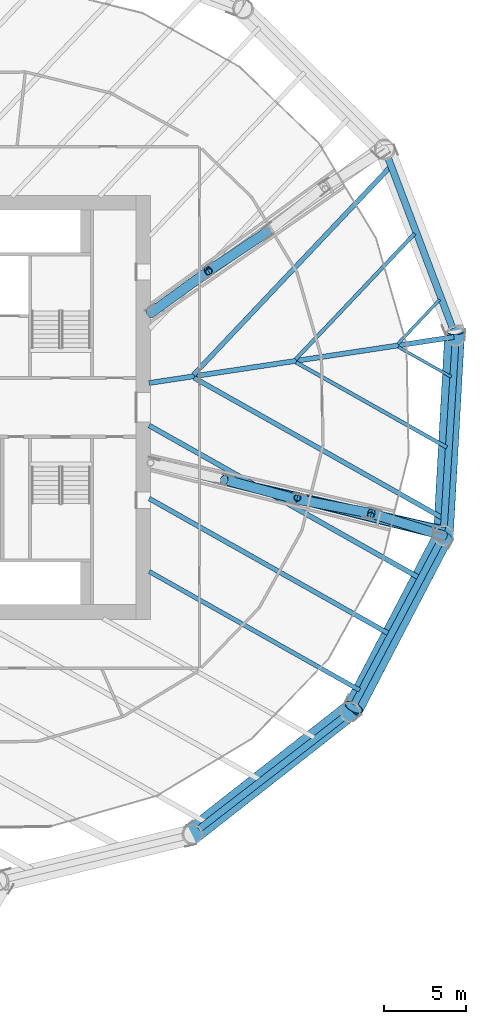
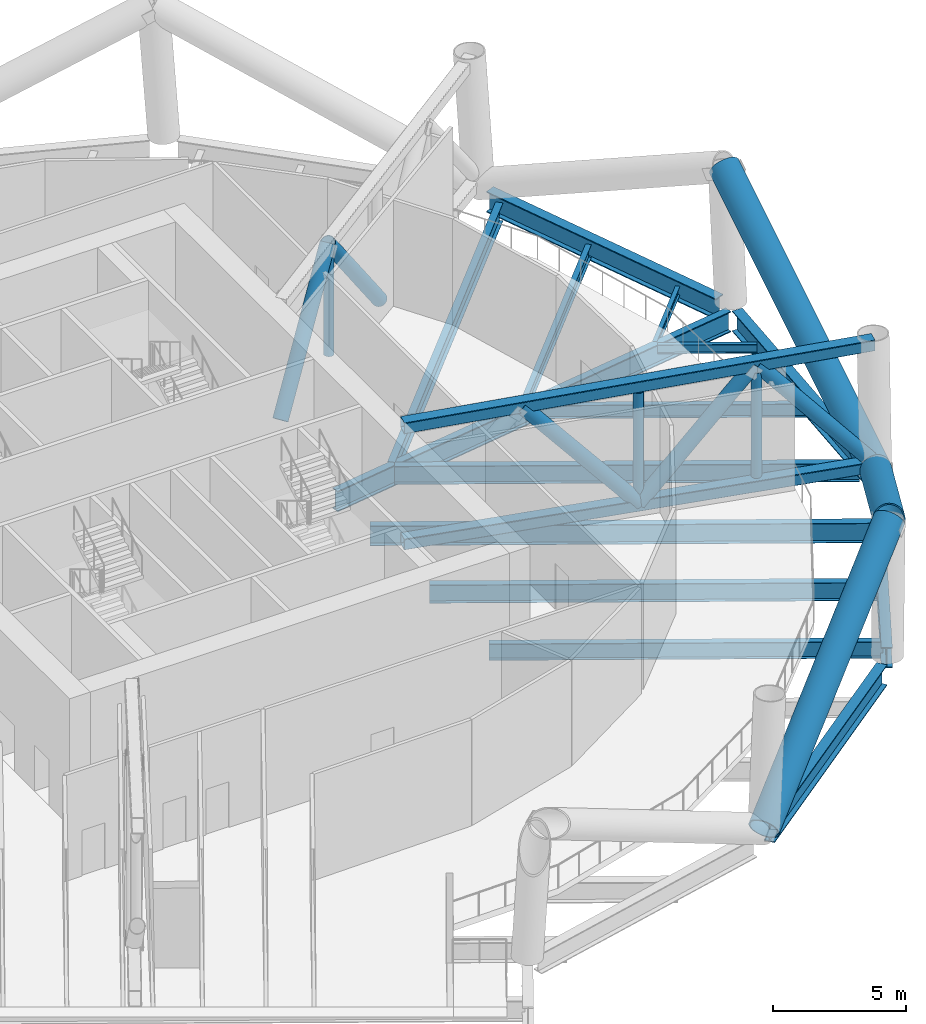
# One storey, part 6 of 39: 14 beams, 13 members.
"""IFC4 building model written with IfcOpenShell, lengths in metres."""

from ifc_helpers import new_model, si_unit, direction, frame, origin, origin_2d, place, context, subcontext, project, spatial, hollow_rectangle, hollow_circle, i_section, extrude, material, material_profile, profile_set, type_object, element, save


model = new_model("IFC4")

# Units and contexts
model_context = context("Model", 3, precision=1e-05, world=origin(), true_north=direction((0.0, 1.0)))
body_context = subcontext(model_context, "Body", "Model", "MODEL_VIEW")
ifc_project = project(units=[si_unit("LENGTHUNIT", "METRE"), si_unit("AREAUNIT", "SQUARE_METRE"), si_unit("VOLUMEUNIT", "CUBIC_METRE"), si_unit("PLANEANGLEUNIT", "RADIAN"), si_unit("MASSUNIT", "GRAM", prefix="KILO")], contexts=[model_context])

# Site, building, storey
site_placement = place(None, origin())
site = spatial("IfcSite", under=ifc_project, at=site_placement, CompositionType="ELEMENT")
building_placement = place(site_placement, origin())
building = spatial("IfcBuilding", under=site, at=building_placement, Name="Tarsis Ring Headquarters", CompositionType="ELEMENT")
storey_placement = place(building_placement, frame((0.0, 0.0, 86.800048828125)))
storey = spatial("IfcBuildingStorey", under=building, at=storey_placement, Name="L19", CompositionType="ELEMENT", Elevation=86.800048828125)

# Beams
ifc_material_1 = material(Name="Structural steel S355", Category="steel")
ifc_material_profile_1 = material_profile(ifc_material_1, i_section(OverallWidth=0.177734375, OverallDepth=0.406494140625, WebThickness=0.0078125, FlangeThickness=0.0126953125, at=origin_2d()), Name="W16x40")
ifc_profile_set_1 = profile_set([ifc_material_profile_1], Name="Structural steel S355")
beam_type_1 = type_object("IfcBeamType", Name="FB Floor beam W16x40", PredefinedType="JOIST", material=ifc_profile_set_1)
beam_1_placement = place(storey_placement, frame((25.187255859375, 3.705810546875, -0.503173828125), z_axis=(0.871040034729, -0.491212029473, 0.0), x_axis=(0.491212029473, 0.871040034729, 0.0)))
element("IfcBeam", 1, at=beam_1_placement, inside=storey, type_object=beam_type_1, Name="Floor beam FB1", PredefinedType="JOIST", context=body_context, shape_type="SweptSolid", body=[
    extrude(i_section(OverallWidth=0.177734375, OverallDepth=0.406494140625, WebThickness=0.0078125, FlangeThickness=0.0126953125, at=origin_2d()), origin(), (0.0, 0.0, 1.0), 3.741455078125),
])
beam_2_placement = place(storey_placement, frame((27.731201171875, 6.608154296875, -0.503173828125), z_axis=(-0.687362699154, -0.726314339533, 0.0), x_axis=(0.726314339533, -0.687362699154, 0.0)))
element("IfcBeam", 2, at=beam_2_placement, inside=storey, type_object=beam_type_1, Name="Floor beam FB1", PredefinedType="JOIST", context=body_context, shape_type="SweptSolid", body=[
    extrude(i_section(OverallWidth=0.177734375, OverallDepth=0.406494140625, WebThickness=0.0078125, FlangeThickness=0.0126953125, at=origin_2d()), origin(), (0.0, 0.0, 1.0), 3.741943359375),
])
ifc_material_profile_2 = material_profile(ifc_material_1, i_section(OverallWidth=0.228271484375, OverallDepth=0.607177734375, WebThickness=0.01123046875, FlangeThickness=0.017333984375, at=origin_2d()), Name="W24x76")
ifc_profile_set_2 = profile_set([ifc_material_profile_2], Name="Structural steel S355")
beam_type_2 = type_object("IfcBeamType", Name="FB Floor beam W24x76", PredefinedType="JOIST", material=ifc_profile_set_2)
beam_3_placement = place(storey_placement, frame((18.92333984375, 2.7607421875, -0.603515625), z_axis=(0.871038489005, -0.491214770413, 0.0), x_axis=(0.491214770413, 0.871038489005, 0.0)))
element("IfcBeam", 3, at=beam_3_placement, inside=storey, type_object=beam_type_2, Name="Floor beam FB4", PredefinedType="JOIST", context=body_context, shape_type="SweptSolid", body=[
    extrude(i_section(OverallWidth=0.228271484375, OverallDepth=0.607177734375, WebThickness=0.01123046875, FlangeThickness=0.017333984375, at=origin_2d()), origin(), (0.0, 0.0, 1.0), 10.62109375),
])
beam_4_placement = place(storey_placement, frame((26.196044921875, 10.659912109375, -0.603515625), z_axis=(-0.687346066865, -0.726330079486, 0.0), x_axis=(0.726330079486, -0.687346066865, 0.0)))
element("IfcBeam", 4, at=beam_4_placement, inside=storey, type_object=beam_type_2, Name="Floor beam FB4", PredefinedType="JOIST", context=body_context, shape_type="SweptSolid", body=[
    extrude(i_section(OverallWidth=0.228271484375, OverallDepth=0.607177734375, WebThickness=0.01123046875, FlangeThickness=0.017333984375, at=origin_2d()), origin(), (0.0, 0.0, 1.0), 10.621337890625),
])
ifc_material_profile_3 = material_profile(ifc_material_1, i_section(OverallWidth=0.2666015625, OverallDepth=0.7568359375, WebThickness=0.013916015625, FlangeThickness=0.019287109375, at=origin_2d()), Name="W30x108")
ifc_profile_set_3 = profile_set([ifc_material_profile_3], Name="Structural steel S355")
beam_type_3 = type_object("IfcBeamType", Name="FB Floor beam W30x108", PredefinedType="JOIST", material=ifc_profile_set_3)
beam_5_placement = place(storey_placement, frame((9.912841796875, -10.067626953125, -0.678466796875), z_axis=(0.871046450397, -0.491200652739, 0.0), x_axis=(0.491200652739, 0.871046450397, 0.0)))
element("IfcBeam", 5, at=beam_5_placement, inside=storey, type_object=beam_type_3, Name="Floor beam FB6", PredefinedType="JOIST", context=body_context, shape_type="SweptSolid", body=[
    extrude(i_section(OverallWidth=0.2666015625, OverallDepth=0.7568359375, WebThickness=0.013916015625, FlangeThickness=0.019287109375, at=origin_2d()), origin(), (0.0, 0.0, 1.0), 14.814453125),
])
ifc_material_profile_4 = material_profile(ifc_material_1, i_section(OverallWidth=0.2919921875, OverallDepth=0.835693359375, WebThickness=0.013916015625, FlangeThickness=0.018798828125, at=origin_2d()), Name="W33x118")
ifc_profile_set_4 = profile_set([ifc_material_profile_4], Name="Structural steel S355")
beam_type_4 = type_object("IfcBeamType", Name="FB Floor beam W33x118", PredefinedType="JOIST", material=ifc_profile_set_4)
beam_6_placement = place(storey_placement, frame((12.65966796875, 1.815673828125, -0.718017578125), z_axis=(0.871044127362, -0.491204772155, 0.0), x_axis=(0.491204772155, 0.871044127362, 0.0)))
element("IfcBeam", 6, at=beam_6_placement, inside=storey, type_object=beam_type_4, Name="Floor beam FB7", PredefinedType="JOIST", context=body_context, shape_type="SweptSolid", body=[
    extrude(i_section(OverallWidth=0.2919921875, OverallDepth=0.835693359375, WebThickness=0.013916015625, FlangeThickness=0.018798828125, at=origin_2d()), origin(), (0.0, 0.0, 1.0), 17.500732421875),
])
beam_7_placement = place(storey_placement, frame((9.912841796875, -5.590087890625, -0.718017578125), z_axis=(0.871039918131, -0.491212236231, 0.0), x_axis=(0.491212236231, 0.871039918131, 0.0)))
element("IfcBeam", 7, at=beam_7_placement, inside=storey, type_object=beam_type_4, Name="Floor beam FB7", PredefinedType="JOIST", context=body_context, shape_type="SweptSolid", body=[
    extrude(i_section(OverallWidth=0.2919921875, OverallDepth=0.835693359375, WebThickness=0.013916015625, FlangeThickness=0.018798828125, at=origin_2d()), origin(), (0.0, 0.0, 1.0), 16.91259765625),
])
beam_8_placement = place(storey_placement, frame((24.66064453125, 14.711669921875, -0.718017578125), z_axis=(-0.687335150948, -0.726340409362, 0.0), x_axis=(0.726340409362, -0.687335150948, 0.0)))
element("IfcBeam", 8, at=beam_8_placement, inside=storey, type_object=beam_type_4, Name="Floor beam FB7", PredefinedType="JOIST", context=body_context, shape_type="SweptSolid", body=[
    extrude(i_section(OverallWidth=0.2919921875, OverallDepth=0.835693359375, WebThickness=0.013916015625, FlangeThickness=0.018798828125, at=origin_2d()), origin(), (0.0, 0.0, 1.0), 17.500732421875),
])
ifc_material_profile_5 = material_profile(ifc_material_1, i_section(OverallWidth=0.3046875, OverallDepth=0.904296875, WebThickness=0.01513671875, FlangeThickness=0.02001953125, at=origin_2d()), Name="W36x135")
ifc_profile_set_5 = profile_set([ifc_material_profile_5], Name="Structural steel S355")
beam_type_5 = type_object("IfcBeamType", Name="FB Floor beam W36x135", PredefinedType="JOIST", material=ifc_profile_set_5)
beam_9_placement = place(storey_placement, frame((9.912841796875, -1.11279296875, -0.752197265625), z_axis=(0.871043421149, -0.491206024467, 0.0), x_axis=(0.491206024467, 0.871043421149, 0.0)))
element("IfcBeam", 9, at=beam_9_placement, inside=storey, type_object=beam_type_5, Name="Floor beam FB8", PredefinedType="JOIST", context=body_context, shape_type="SweptSolid", body=[
    extrude(i_section(OverallWidth=0.3046875, OverallDepth=0.904296875, WebThickness=0.01513671875, FlangeThickness=0.02001953125, at=origin_2d()), origin(), (0.0, 0.0, 1.0), 19.0107421875),
])
ifc_material_profile_6 = material_profile(ifc_material_1, i_section(OverallWidth=0.309814453125, OverallDepth=0.949951171875, WebThickness=0.0244140625, FlangeThickness=0.0439453125, at=origin_2d()), Name="W36x256")
ifc_profile_set_6 = profile_set([ifc_material_profile_6], Name="Structural steel S355")
beam_type_6 = type_object("IfcBeamType", Name="FB Floor beam W36x256 spine", PredefinedType="BEAM", material=ifc_profile_set_6)
beam_10_placement = place(storey_placement, frame((28.607666015625, 4.31640625, -0.775146484375), z_axis=(-0.988807817101, -0.149194841867, 0.0), x_axis=(0.149194841867, -0.988807817101, 0.0)))
element("IfcBeam", 10, at=beam_10_placement, inside=storey, type_object=beam_type_6, Name="Floor beam SB11", PredefinedType="BEAM", context=body_context, shape_type="SweptSolid", body=[
    extrude(i_section(OverallWidth=0.309814453125, OverallDepth=0.949951171875, WebThickness=0.0244140625, FlangeThickness=0.0439453125, at=origin_2d()), origin(), (0.0, 0.0, 1.0), 18.918212890625),
])

# Members
ifc_material_profile_7 = material_profile(ifc_material_1, hollow_rectangle(XDim=0.508056640625, YDim=0.508056640625, WallThickness=0.025390625, InnerFilletRadius=0.025390625, OuterFilletRadius=0.05078125, at=origin_2d()), Name="HSS 508x508x25")
ifc_profile_set_7 = profile_set([ifc_material_profile_7], Name="Structural steel S355")
member_type_1 = type_object("IfcMemberType", Name="OC Outrigger chord HSS 508x508x25", PredefinedType="CHORD", material=ifc_profile_set_7)
member_1_placement = place(storey_placement, frame((10.0, -3.39990234375, 0.25390625), z_axis=(0.970333837296, -0.241768989324, 0.0), x_axis=(0.241768989324, 0.970333837296, 0.0)))
element("IfcMember", 11, at=member_1_placement, inside=storey, type_object=member_type_1, Name="Outrigger chord OC1", PredefinedType="CHORD", context=body_context, shape_type="SweptSolid", body=[
    extrude(hollow_rectangle(XDim=0.508056640625, YDim=0.508056640625, WallThickness=0.025390625, InnerFilletRadius=0.025390625, OuterFilletRadius=0.05078125, at=origin_2d()), origin(), (0.0, 0.0, 1.0), 18.509765625),
])
member_2_placement = place(storey_placement, frame((10.0, -3.39990234375, 5.5859375), z_axis=(0.974744992934, -0.223320842623, 0.0), x_axis=(0.223320842623, 0.974744992934, 0.0)))
element("IfcMember", 12, at=member_2_placement, inside=storey, type_object=member_type_1, Name="Outrigger chord OC1", PredefinedType="CHORD", context=body_context, shape_type="SweptSolid", body=[
    extrude(hollow_rectangle(XDim=0.508056640625, YDim=0.508056640625, WallThickness=0.025390625, InnerFilletRadius=0.025390625, OuterFilletRadius=0.05078125, at=origin_2d()), origin(), (0.0, 0.0, 1.0), 18.521484375),
])
ifc_material_profile_8 = material_profile(ifc_material_1, hollow_circle(Radius=0.3046875, WallThickness=0.02490234375, at=origin_2d()), Name="CHS 610x25")
ifc_profile_set_8 = profile_set([ifc_material_profile_8], Name="Structural steel S355")
member_type_2 = type_object("IfcMemberType", Name="OD Outrigger diagonal CHS 610x25", PredefinedType="BRACE", material=ifc_profile_set_8)
member_3_placement = place(storey_placement, frame((14.513427734375, -4.43408203125, 5.5859375), z_axis=(0.632771211509, -0.170470556489, -0.7553412363), x_axis=(0.260128665399, 0.965573962697, 0.0)))
element("IfcMember", 13, at=member_3_placement, inside=storey, type_object=member_type_2, Name="Outrigger diagonal OD1", PredefinedType="BRACE", context=body_context, shape_type="SweptSolid", body=[
    extrude(hollow_circle(Radius=0.3046875, WallThickness=0.02490234375, at=origin_2d()), origin(), (0.0, 0.0, 1.0), 7.05908203125),
])
member_4_placement = place(storey_placement, frame((18.980224609375, -5.637451171875, 0.25390625), z_axis=(0.64506995919, -0.122293217983, 0.754273900242), x_axis=(0.186263615339, 0.982499804377, 0.0)))
element("IfcMember", 14, at=member_4_placement, inside=storey, type_object=member_type_2, Name="Outrigger diagonal OD1", PredefinedType="BRACE", context=body_context, shape_type="SweptSolid", body=[
    extrude(hollow_circle(Radius=0.3046875, WallThickness=0.02490234375, at=origin_2d()), origin(), (0.0, 0.0, 1.0), 7.069091796875),
])
member_5_placement = place(storey_placement, frame((23.540283203125, -6.501953125, 5.5859375), z_axis=(0.626043549491, -0.194458683438, -0.755152497563), x_axis=(0.296634782474, 0.954990997773, 0.0)))
element("IfcMember", 15, at=member_5_placement, inside=storey, type_object=member_type_2, Name="Outrigger diagonal OD1", PredefinedType="BRACE", context=body_context, shape_type="SweptSolid", body=[
    extrude(hollow_circle(Radius=0.3046875, WallThickness=0.02490234375, at=origin_2d()), origin(), (0.0, 0.0, 1.0), 7.060791015625),
])
member_6_placement = place(storey_placement, frame((10.0, 5.782958984375, 0.25390625), z_axis=(0.513626835152, 0.373495343562, 0.77245627873), x_axis=(-0.588118712745, 0.808774616144, 0.0)))
element("IfcMember", 16, at=member_6_placement, inside=storey, type_object=member_type_2, Name="Outrigger diagonal OD1", PredefinedType="BRACE", context=body_context, shape_type="SweptSolid", body=[
    extrude(hollow_circle(Radius=0.3046875, WallThickness=0.02490234375, at=origin_2d()), origin(), (0.0, 0.0, 1.0), 6.902587890625),
])
member_7_placement = place(storey_placement, frame((13.54541015625, 8.361083984375, 5.5859375), z_axis=(0.527829855363, 0.352393747373, -0.772796409541), x_axis=(-0.555253324074, 0.831681276755, 0.0)))
element("IfcMember", 17, at=member_7_placement, inside=storey, type_object=member_type_2, Name="Outrigger diagonal OD1", PredefinedType="BRACE", context=body_context, shape_type="SweptSolid", body=[
    extrude(hollow_circle(Radius=0.3046875, WallThickness=0.02490234375, at=origin_2d()), origin(), (0.0, 0.0, 1.0), 6.899658203125),
])
ifc_material_profile_9 = material_profile(ifc_material_1, hollow_circle(Radius=0.203125, WallThickness=0.01611328125, at=origin_2d()), Name="CHS 406x16")
ifc_profile_set_9 = profile_set([ifc_material_profile_9], Name="Structural steel S355")
member_type_3 = type_object("IfcMemberType", Name="OV Outrigger post CHS 406x16", PredefinedType="STRUT", material=ifc_profile_set_9)
for number, where, z_axis, x_axis, name in (
    (18, (19.003662109375, -5.552734375, 0.508056640625), (0.0, 0.0, 1.0), (1.0, 0.0, 0.0), "Outrigger post OV1"),
    (19, (23.50537109375, -6.629150390625, 0.508056640625), (0.0, 0.0, 1.0), (1.0, 0.0, 0.0), "Outrigger post OV1"),
    (20, (13.5693359375, 8.324462890625, 0.508056640625), (0.0, 0.0, 1.0), (1.0, 0.0, 0.0), "Outrigger post OV1"),
):
    element("IfcMember", number, at=place(storey_placement, frame(where, z_axis=z_axis, x_axis=x_axis)), inside=storey, type_object=member_type_3, Name=name, PredefinedType="STRUT", context=body_context, shape_type="SweptSolid", body=[
        extrude(hollow_circle(Radius=0.203125, WallThickness=0.01611328125, at=origin_2d()), origin(), (0.0, 0.0, 1.0), 4.823974609375),
    ])
ifc_material_2 = material(Name="Structural steel S460", Category="steel")
ifc_material_profile_10 = material_profile(ifc_material_2, hollow_circle(Radius=0.609619140625, WallThickness=0.050048828125, at=origin_2d()), Name="CHS 1219x50")
ifc_profile_set_10 = profile_set([ifc_material_profile_10], Name="Structural steel S460")
member_type_4 = type_object("IfcMemberType", Name="TD Belt truss diagonal CHS 1219x50", PredefinedType="BRACE", material=ifc_profile_set_10)
member_8_placement = place(storey_placement, frame((12.52978515625, -26.207275390625, 0.0), z_axis=(0.710727639584, 0.557547410084, 0.42896049683), x_axis=(-0.617218045378, 0.786792148194, 0.0)))
element("IfcMember", 21, at=member_8_placement, inside=storey, type_object=member_type_4, Name="Belt truss diagonal TD1", PredefinedType="BRACE", context=body_context, shape_type="SweptSolid", body=[
    extrude(hollow_circle(Radius=0.609619140625, WallThickness=0.050048828125, at=origin_2d()), origin(), (0.0, 0.0, 1.0), 13.9873046875),
])
member_9_placement = place(storey_placement, frame((27.9560546875, -7.89111328125, 0.0), z_axis=(-0.412628926361, -0.791207288362, 0.45136282077), x_axis=(0.886665202838, -0.462411957107, 0.0)))
element("IfcMember", 22, at=member_9_placement, inside=storey, type_object=member_type_4, Name="Belt truss diagonal TD1", PredefinedType="BRACE", context=body_context, shape_type="SweptSolid", body=[
    extrude(hollow_circle(Radius=0.609619140625, WallThickness=0.050048828125, at=origin_2d()), origin(), (0.0, 0.0, 1.0), 13.29296875),
])
member_10_placement = place(storey_placement, frame((27.9560546875, -7.89111328125, 0.0), z_axis=(0.050460310593, 0.901914780102, 0.42895627573), x_axis=(-0.998438576429, 0.055860622075, 0.0)))
element("IfcMember", 23, at=member_10_placement, inside=storey, type_object=member_type_4, Name="Belt truss diagonal TD1", PredefinedType="BRACE", context=body_context, shape_type="SweptSolid", body=[
    extrude(hollow_circle(Radius=0.609619140625, WallThickness=0.050048828125, at=origin_2d()), origin(), (0.0, 0.0, 1.0), 13.987548828125),
])

# Beams
ifc_material_profile_11 = material_profile(ifc_material_1, i_section(OverallWidth=0.42431640625, OverallDepth=0.947509765625, WebThickness=0.02392578125, FlangeThickness=0.042724609375, at=origin_2d()), Name="W36x302")
ifc_profile_set_11 = profile_set([ifc_material_profile_11], Name="Structural steel S355")
beam_type_7 = type_object("IfcBeamType", Name="XG Ring girder W36x302", PredefinedType="BEAM", material=ifc_profile_set_11)
for number, where, z_axis, x_axis, name in (
    (24, (12.963623046875, -25.87158203125, -0.4736328125), (0.790965677557, 0.611860520811, 0.0), (-0.611860520811, 0.790965677557, 0.0), "Ring girder XG1"),
    (25, (22.47509765625, -18.22802734375, -0.4736328125), (0.468461981992, 0.883483656571, 0.0), (-0.883483656571, 0.468461981992, 0.0), "Ring girder XG1"),
    (26, (27.990478515625, -7.343505859375, -0.4736328125), (0.062635888937, 0.998036444934, 0.0), (-0.998036444934, 0.062635888937, 0.0), "Ring girder XG1"),
    (27, (28.529052734375, 4.8466796875, -0.4736328125), (-0.354312346625, 0.935127136292, 0.0), (-0.935127136292, -0.354312346625, 0.0), "Ring girder XG1"),
):
    element("IfcBeam", number, at=place(storey_placement, frame(where, z_axis=z_axis, x_axis=x_axis)), inside=storey, type_object=beam_type_7, Name=name, PredefinedType="BEAM", context=body_context, shape_type="SweptSolid", body=[
        extrude(i_section(OverallWidth=0.42431640625, OverallDepth=0.947509765625, WebThickness=0.02392578125, FlangeThickness=0.042724609375, at=origin_2d()), origin(), (0.0, 0.0, 1.0), 11.151611328125),
    ])

save(model, "model.ifc")
